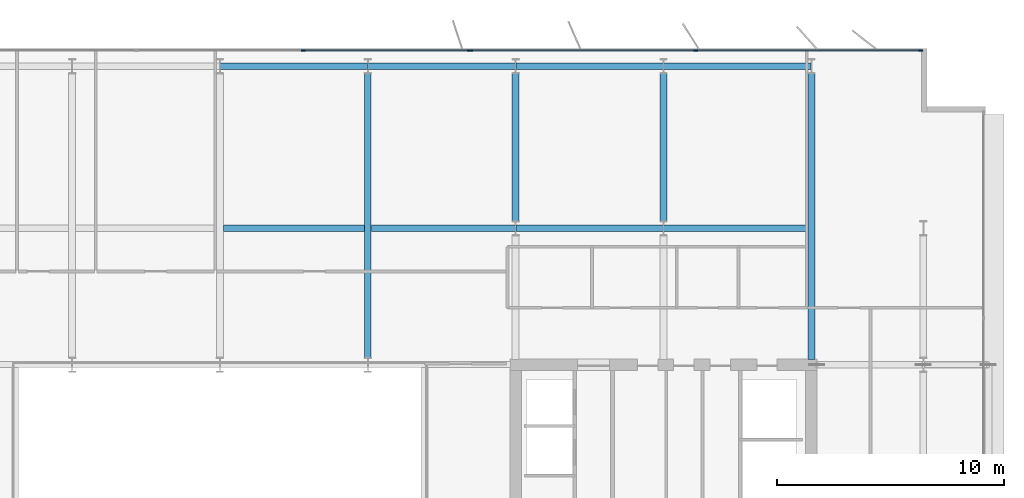
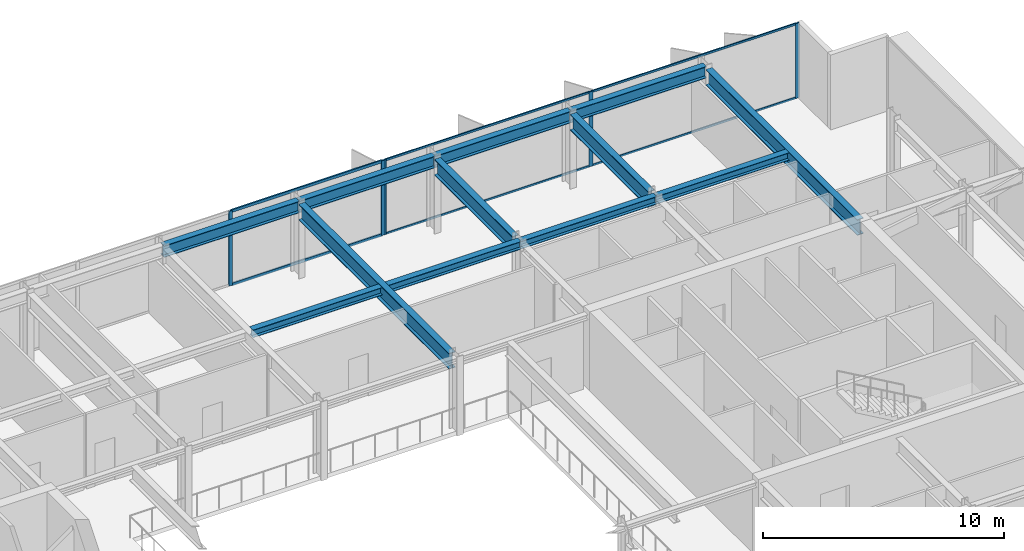
# One storey, part 9 of 20: 12 beams, 11 members, 2 elements without a shape of their own.
"""IFC4 building model written with IfcOpenShell, lengths in metres."""

import ifcopenshell
import ifcopenshell.guid

model = None  # the IFC model being written
_history = None  # IfcOwnerHistory: only IFC2X3 demands one
_inside = {}  # id of a spatial element -> (the spatial element, [elements in it])
_under = {}  # id of a project, library or spatial element -> (it, [spatial elements below it])
_declared = {}  # id of a project -> (the project, [libraries it declares])
_typed = {}  # id of a type object -> (the type object, [elements of that type])
_made_of = {}  # id of a material, layer set ... -> (it, [elements and type objects made of it])


def new_model(schema):
    """Start an empty IFC model of exactly this schema.

    Asked for "IFC4X3", IfcOpenShell would pick the latest addendum, in which some entities
    have other attributes; the version numbers below select the first issue.
    IFC2X3 requires an IfcOwnerHistory on every rooted entity: one is made here for all.
    """
    global model, _history
    if schema == "IFC4X3":
        model = ifcopenshell.file(schema_version=(4, 3, 0, 0))
    else:
        model = ifcopenshell.file(schema=schema)
    _inside.clear()
    _under.clear()
    _declared.clear()
    _typed.clear()
    _made_of.clear()
    _history = None
    if model.schema == "IFC2X3":
        org = make("IfcOrganization", Name="unknown")
        user = make(
            "IfcPersonAndOrganization",
            ThePerson=make("IfcPerson", FamilyName="unknown"),
            TheOrganization=org,
        )
        app = make(
            "IfcApplication",
            ApplicationDeveloper=org,
            Version="unknown",
            ApplicationFullName="unknown",
            ApplicationIdentifier="unknown",
        )
        _history = make(
            "IfcOwnerHistory",
            OwningUser=user,
            OwningApplication=app,
            ChangeAction="ADDED",
            CreationDate=0,
        )
    return model


def make(cls, **values):
    """One entity of the class cls with the attributes given. An attribute that is None is left unset."""
    return model.create_entity(
        cls, **{name: value for name, value in values.items() if value is not None}
    )


def rooted(cls, **values):
    """An entity with a GlobalId (a new one), such as an element, a storey or a relation."""
    return make(cls, GlobalId=ifcopenshell.guid.new(), OwnerHistory=_history, **values)


def si_unit(unit_type, name, prefix=None):
    """IfcSIUnit, for example si_unit("LENGTHUNIT", "METRE", prefix="MILLI")."""
    return make("IfcSIUnit", UnitType=unit_type, Prefix=prefix, Name=name)


def assignment(units):
    """IfcUnitAssignment: the units of a project."""
    return None if units is None else make("IfcUnitAssignment", Units=units)


def point(xyz):
    """IfcCartesianPoint."""
    return None if xyz is None else make("IfcCartesianPoint", Coordinates=xyz)


def direction(xyz):
    """IfcDirection."""
    return None if xyz is None else make("IfcDirection", DirectionRatios=xyz)


def frame(location, z_axis=None, x_axis=None):
    """IfcAxis2Placement3D, a coordinate frame: its origin and axes. An axis left out is left unset."""
    return make(
        "IfcAxis2Placement3D",
        Location=point(location),
        Axis=direction(z_axis),
        RefDirection=direction(x_axis),
    )


def frame_2d(location, x_axis=None):
    """IfcAxis2Placement2D, a coordinate frame in the plane: its origin and x axis."""
    return make(
        "IfcAxis2Placement2D", Location=point(location), RefDirection=direction(x_axis)
    )


def origin():
    """The frame at (0, 0, 0) with its axes left unset."""
    return frame((0.0, 0.0, 0.0))


def origin_2d():
    """The frame at (0, 0) in the plane with its x axis left unset."""
    return frame_2d((0.0, 0.0))


def place(relative_to, where):
    """IfcLocalPlacement: puts the frame where relative to a parent placement (None: the world)."""
    return make(
        "IfcLocalPlacement", PlacementRelTo=relative_to, RelativePlacement=where
    )


def context(
    kind, dimensions, precision=None, world=None, true_north=None, identifier=None
):
    """IfcGeometricRepresentationContext, for example the 3D "Model" context."""
    return make(
        "IfcGeometricRepresentationContext",
        ContextIdentifier=identifier,
        ContextType=kind,
        CoordinateSpaceDimension=dimensions,
        Precision=precision,
        WorldCoordinateSystem=world,
        TrueNorth=true_north,
    )


def subcontext(parent, identifier, kind, view, scale=None):
    """IfcGeometricRepresentationSubContext, for example "Body" below "Model"."""
    return make(
        "IfcGeometricRepresentationSubContext",
        ContextIdentifier=identifier,
        ContextType=kind,
        ParentContext=parent,
        TargetScale=scale,
        TargetView=view,
    )


def project(units=None, contexts=None):
    """IfcProject with its units and contexts."""
    return rooted(
        "IfcProject",
        Name="project",
        RepresentationContexts=contexts,
        UnitsInContext=assignment(units),
    )


def spatial(cls, under=None, at=None, **own):
    """A site, building, storey or space (cls), placed at a placement, below another one or the project."""
    s = rooted(cls, ObjectPlacement=at, **own)
    if under is not None:
        _under.setdefault(under.id(), (under, []))[1].append(s)
    return s


def profile(cls, at=None, kind="AREA", **sizes):
    """A parametric profile (cls). Its sizes go by their IFC names, for example OverallWidth=200.0."""
    return make(cls, ProfileType=kind, Position=at, **sizes)


def rectangle(**sizes):
    """IfcRectangleProfileDef."""
    return profile("IfcRectangleProfileDef", **sizes)


def i_section(**sizes):
    """IfcIShapeProfileDef."""
    return profile("IfcIShapeProfileDef", **sizes)


def extrude(swept, where, along, depth):
    """IfcExtrudedAreaSolid: the profile swept, set in the frame where, extruded along a direction by depth."""
    return make(
        "IfcExtrudedAreaSolid",
        SweptArea=swept,
        Position=where,
        ExtrudedDirection=direction(along),
        Depth=depth,
    )


def shape(context_of_items, identifier, shape_type, items):
    """IfcShapeRepresentation: the items that make up one representation, for example the "Body"."""
    return make(
        "IfcShapeRepresentation",
        ContextOfItems=context_of_items,
        RepresentationIdentifier=identifier,
        RepresentationType=shape_type,
        Items=items,
    )


def material(Name=None, Category=None):
    """IfcMaterial."""
    return make("IfcMaterial", Name=Name, Category=Category)


def layer(
    of_material, thickness, ventilated=None, Name=None, Category=None, Priority=None
):
    """IfcMaterialLayer: one layer of a wall or slab, of a material (None: an air gap)."""
    return make(
        "IfcMaterialLayer",
        Material=of_material,
        LayerThickness=thickness,
        IsVentilated=ventilated,
        Name=Name,
        Category=Category,
        Priority=Priority,
    )


def layer_set(layers, Name=None):
    """IfcMaterialLayerSet."""
    return make("IfcMaterialLayerSet", MaterialLayers=layers, LayerSetName=Name)


def material_profile(
    of_material, cross_section, Name=None, Category=None, Priority=None
):
    """IfcMaterialProfile: a cross section and its material."""
    return make(
        "IfcMaterialProfile",
        Name=Name,
        Material=of_material,
        Profile=cross_section,
        Priority=Priority,
        Category=Category,
    )


def profile_set(profiles, Name=None, composite=None):
    """IfcMaterialProfileSet."""
    return make(
        "IfcMaterialProfileSet",
        Name=Name,
        MaterialProfiles=profiles,
        CompositeProfile=composite,
    )


def made_of(thing, what):
    """Note that an element or type object is made of a material, layer set ...; save() writes the relation."""
    if what is not None:
        _made_of.setdefault(what.id(), (what, []))[1].append(thing)
    return thing


def type_object(cls, material=None, **own):
    """A type object (cls), such as IfcWallType, which elements share."""
    return made_of(rooted(cls, **own), material)


def element(
    cls,
    number,
    at=None,
    inside=None,
    cuts=None,
    type_object=None,
    material=None,
    context=None,
    identifier="Body",
    shape_type=None,
    held_by="IfcProductDefinitionShape",
    body=None,
    shapes=None,
    **own,
):
    """One element of the class cls, such as IfcWall. Its Tag is "e" and its number.

    at: its placement. inside: the storey or other place that contains it. cuts: it is an
    opening in that element (IfcRelVoidsElement). A single representation is given by context,
    identifier, shape_type and body (its items); several are given by shapes. held_by: the class
    of the entity that holds the representations. save() writes the other relations.
    """
    e = rooted(cls, Tag="e%d" % number, ObjectPlacement=at, **own)
    if body is not None:
        shapes = [shape(context, identifier, shape_type, body)]
    if shapes is not None:
        e.Representation = make(held_by, Representations=shapes)
    if inside is not None:
        _inside.setdefault(inside.id(), (inside, []))[1].append(e)
    if cuts is not None:
        rooted(
            "IfcRelVoidsElement", RelatingBuildingElement=cuts, RelatedOpeningElement=e
        )
    if type_object is not None:
        _typed.setdefault(type_object.id(), (type_object, []))[1].append(e)
    return made_of(e, material)


def aggregate(whole, parts):
    """IfcRelAggregates: a whole, such as a stair, and the parts it consists of."""
    return rooted("IfcRelAggregates", RelatingObject=whole, RelatedObjects=parts)


def save(model, path):
    """Write the relations noted so far, then the file.

    IfcRelAggregates (storeys below a building ...), IfcRelContainedInSpatialStructure (elements
    in a storey), IfcRelDefinesByType, IfcRelAssociatesMaterial and IfcRelDeclares: one each for
    every whole, place, type object, material and project.
    """
    for whole, parts in _under.values():
        aggregate(whole, parts)
    for where, things in _inside.values():
        rooted(
            "IfcRelContainedInSpatialStructure",
            RelatedElements=things,
            RelatingStructure=where,
        )
    for kind, things in _typed.values():
        rooted("IfcRelDefinesByType", RelatedObjects=things, RelatingType=kind)
    for what, things in _made_of.values():
        rooted("IfcRelAssociatesMaterial", RelatedObjects=things, RelatingMaterial=what)
    for by, libraries in _declared.values():
        rooted("IfcRelDeclares", RelatingContext=by, RelatedDefinitions=libraries)
    model.write(path)


model = new_model("IFC4")

# Units and contexts
model_context = context("Model", 3, precision=1e-05, world=origin(), true_north=direction((0.0, 1.0)))
body_context = subcontext(model_context, "Body", "Model", "MODEL_VIEW")
ifc_project = project(units=[si_unit("LENGTHUNIT", "METRE"), si_unit("AREAUNIT", "SQUARE_METRE"), si_unit("VOLUMEUNIT", "CUBIC_METRE"), si_unit("PLANEANGLEUNIT", "RADIAN"), si_unit("MASSUNIT", "GRAM", prefix="KILO")], contexts=[model_context])

# Site, building, storey
site_placement = place(None, origin())
site = spatial("IfcSite", under=ifc_project, at=site_placement, CompositionType="ELEMENT")
building_placement = place(site_placement, origin())
building = spatial("IfcBuilding", under=site, at=building_placement, Name="Putna Gate Headquarters", CompositionType="ELEMENT")
storey_placement = place(building_placement, frame((0.0, 0.0, 282.39990234375)))
storey = spatial("IfcBuildingStorey", under=building, at=storey_placement, Name="L71", CompositionType="ELEMENT", Elevation=282.39990234375)

# Beams
ifc_material_1 = material(Name="Steel S355J2", Category="steel")
ifc_material_profile_1 = material_profile(ifc_material_1, i_section(OverallWidth=0.300048828125, OverallDepth=0.800048828125, WebThickness=0.017578125, FlangeThickness=0.032958984375, at=origin_2d()), Name="Steel S355J2")
ifc_profile_set_1 = profile_set([ifc_material_profile_1], Name="Steel S355J2")
beam_type_1 = type_object("IfcBeamType", Name="BM-GIRD-P-HEB800", PredefinedType="USERDEFINED", material=ifc_profile_set_1)
beam_1_placement = place(storey_placement, frame((45.5, 33.322021484375, 3.38818359375), z_axis=(0.0, 1.0, 0.0), x_axis=(-1.0, 0.0, 0.0)))
element("IfcBeam", 1, at=beam_1_placement, inside=storey, type_object=beam_type_1, Name="L71 North Primary Girder X45", ObjectType="GIRDER", PredefinedType="USERDEFINED", context=body_context, shape_type="SweptSolid", body=[
    extrude(i_section(OverallWidth=0.300048828125, OverallDepth=0.800048828125, WebThickness=0.017578125, FlangeThickness=0.032958984375, at=origin_2d()), origin(), (0.0, 0.0, 1.0), 12.47607421875),
])
for number, where, z_axis, x_axis, name in (
    (2, (52.0, 39.322021484375, 3.38818359375), (0.0, 1.0, 0.0), (-1.0, 0.0, 0.0), "L71 North Primary Girder X52-2"),
    (3, (58.5, 39.322021484375, 3.38818359375), (0.0, 1.0, 0.0), (-1.0, 0.0, 0.0), "L71 North Primary Girder X58-2"),
):
    element("IfcBeam", number, at=place(storey_placement, frame(where, z_axis=z_axis, x_axis=x_axis)), inside=storey, type_object=beam_type_1, Name=name, ObjectType="GIRDER", PredefinedType="USERDEFINED", context=body_context, shape_type="SweptSolid", body=[
        extrude(i_section(OverallWidth=0.300048828125, OverallDepth=0.800048828125, WebThickness=0.017578125, FlangeThickness=0.032958984375, at=origin_2d()), origin(), (0.0, 0.0, 1.0), 6.47607421875),
    ])
beam_2_placement = place(storey_placement, frame((65.0, 33.235107421875, 3.38818359375), z_axis=(0.0, 1.0, 0.0), x_axis=(-1.0, 0.0, 0.0)))
element("IfcBeam", 4, at=beam_2_placement, inside=storey, type_object=beam_type_1, Name="L71 North Primary Girder X65", ObjectType="GIRDER", PredefinedType="USERDEFINED", context=body_context, shape_type="SweptSolid", body=[
    extrude(i_section(OverallWidth=0.300048828125, OverallDepth=0.800048828125, WebThickness=0.017578125, FlangeThickness=0.032958984375, at=origin_2d()), origin(), (0.0, 0.0, 1.0), 12.56298828125),
])
ifc_material_profile_2 = material_profile(ifc_material_1, i_section(OverallWidth=0.300048828125, OverallDepth=0.389892578125, WebThickness=0.010986328125, FlangeThickness=0.01904296875, at=origin_2d()), Name="Steel S355J2")
ifc_profile_set_2 = profile_set([ifc_material_profile_2], Name="Steel S355J2")
beam_type_2 = type_object("IfcBeamType", Name="BM-SEC-Z5-HEA400", PredefinedType="BEAM", material=ifc_profile_set_2)
beam_3_placement = place(storey_placement, frame((39.154052734375, 39.0, 3.593017578125), z_axis=(1.0, 0.0, 0.0), x_axis=(0.0, 1.0, 0.0)))
element("IfcBeam", 5, at=beam_3_placement, inside=storey, type_object=beam_type_2, Name="L71 North Secondary Beam 5", PredefinedType="BEAM", context=body_context, shape_type="SweptSolid", body=[
    extrude(i_section(OverallWidth=0.300048828125, OverallDepth=0.389892578125, WebThickness=0.010986328125, FlangeThickness=0.01904296875, at=origin_2d()), origin(), (0.0, 0.0, 1.0), 6.19189453125),
])
beam_4_placement = place(storey_placement, frame((45.654052734375, 39.0, 3.593017578125), z_axis=(1.0, 0.0, 0.0), x_axis=(0.0, 1.0, 0.0)))
element("IfcBeam", 6, at=beam_4_placement, inside=storey, type_object=beam_type_2, Name="L71 North Secondary Beam 6", PredefinedType="BEAM", context=body_context, shape_type="SweptSolid", body=[
    extrude(i_section(OverallWidth=0.300048828125, OverallDepth=0.389892578125, WebThickness=0.010986328125, FlangeThickness=0.01904296875, at=origin_2d()), origin(), (0.0, 0.0, 1.0), 6.33984375),
])
beam_5_placement = place(storey_placement, frame((52.006103515625, 39.0, 3.593017578125), z_axis=(1.0, 0.0, 0.0), x_axis=(0.0, 1.0, 0.0)))
element("IfcBeam", 7, at=beam_5_placement, inside=storey, type_object=beam_type_2, Name="L71 North Secondary Beam 7", PredefinedType="BEAM", context=body_context, shape_type="SweptSolid", body=[
    extrude(i_section(OverallWidth=0.300048828125, OverallDepth=0.389892578125, WebThickness=0.010986328125, FlangeThickness=0.01904296875, at=origin_2d()), origin(), (0.0, 0.0, 1.0), 6.48779296875),
])
beam_6_placement = place(storey_placement, frame((58.506103515625, 39.0, 3.593017578125), z_axis=(1.0, 0.0, 0.0), x_axis=(0.0, 1.0, 0.0)))
element("IfcBeam", 8, at=beam_6_placement, inside=storey, type_object=beam_type_2, Name="L71 North Secondary Beam 8", PredefinedType="BEAM", context=body_context, shape_type="SweptSolid", body=[
    extrude(i_section(OverallWidth=0.300048828125, OverallDepth=0.389892578125, WebThickness=0.010986328125, FlangeThickness=0.01904296875, at=origin_2d()), origin(), (0.0, 0.0, 1.0), 6.33984375),
])
ifc_material_profile_3 = material_profile(ifc_material_1, i_section(OverallWidth=0.300048828125, OverallDepth=0.590087890625, WebThickness=0.012939453125, FlangeThickness=0.02490234375, at=origin_2d()), Name="Steel S355J2")
ifc_profile_set_3 = profile_set([ifc_material_profile_3], Name="Steel S355J2")
beam_type_3 = type_object("IfcBeamType", Name="BM-SPAN-Z4-HEA600", PredefinedType="SPANDREL", material=ifc_profile_set_3)
for number, where, z_axis, x_axis, name in (
    (9, (39.006103515625, 46.1201171875, 3.4931640625), (1.0, 0.0, 0.0), (0.0, 1.0, 0.0), "L71 N Perimeter Spandrel 5"),
    (10, (45.506103515625, 46.1201171875, 3.4931640625), (1.0, 0.0, 0.0), (0.0, 1.0, 0.0), "L71 N Perimeter Spandrel 6"),
    (11, (52.006103515625, 46.1201171875, 3.4931640625), (1.0, 0.0, 0.0), (0.0, 1.0, 0.0), "L71 N Perimeter Spandrel 7"),
    (12, (58.506103515625, 46.1201171875, 3.4931640625), (1.0, 0.0, 0.0), (0.0, 1.0, 0.0), "L71 N Perimeter Spandrel 8"),
):
    element("IfcBeam", number, at=place(storey_placement, frame(where, z_axis=z_axis, x_axis=x_axis)), inside=storey, type_object=beam_type_3, Name=name, PredefinedType="SPANDREL", context=body_context, shape_type="SweptSolid", body=[
        extrude(i_section(OverallWidth=0.300048828125, OverallDepth=0.590087890625, WebThickness=0.012939453125, FlangeThickness=0.02490234375, at=origin_2d()), origin(), (0.0, 0.0, 1.0), 6.48779296875),
    ])

# Curtain wall, members
ifc_material_2 = material(Name="Anodised bronze aluminium curtain wall", Category="aluminium")
ifc_layer_1 = layer(ifc_material_2, 0.179931640625)
ifc_layer_set_1 = layer_set([ifc_layer_1], Name="Anodised bronze aluminium curtain wall")
curtain_wall_type_1 = type_object("IfcCurtainWallType", Name="CW-SYS-Z5", PredefinedType="USERDEFINED", material=ifc_layer_set_1)
curtain_wall_1_placement = place(storey_placement, origin())
curtain_wall_1 = element("IfcCurtainWall", 13, at=curtain_wall_1_placement, inside=storey, type_object=curtain_wall_type_1, Name="L71 North East Curtain Wall", ObjectType="STICK CURTAIN WALL", PredefinedType="USERDEFINED")
ifc_material_3 = material(Name="Anodised bronze aluminium EN AW-6060", Category="aluminium")
ifc_material_profile_4 = material_profile(ifc_material_3, rectangle(XDim=0.070068359375, YDim=0.179931640625, at=origin_2d()), Name="Anodised bronze aluminium EN AW-6060")
ifc_profile_set_4 = profile_set([ifc_material_profile_4], Name="Anodised bronze aluminium EN AW-6060")
member_type_1 = type_object("IfcMemberType", Name="MULL-CWM-5", PredefinedType="MULLION", material=ifc_profile_set_4)
member_1_placement = place(storey_placement, frame((50.034912109375, 46.820068359375, 0.0), z_axis=(0.0, 0.0, 1.0), x_axis=(0.0, 1.0, 0.0)))
member_1 = element("IfcMember", 14, at=member_1_placement, type_object=member_type_1, Name="CWS-5 mullion 1", PredefinedType="MULLION", context=body_context, shape_type="SweptSolid", body=[
    extrude(rectangle(XDim=0.070068359375, YDim=0.179931640625, at=origin_2d()), origin(), (0.0, 0.0, 1.0), 3.7880859375),
])
member_2_placement = place(storey_placement, frame((59.924560546875, 46.820068359375, 0.0), z_axis=(0.0, 0.0, 1.0), x_axis=(0.0, 1.0, 0.0)))
member_2 = element("IfcMember", 15, at=member_2_placement, type_object=member_type_1, Name="CWS-5 mullion 2", PredefinedType="MULLION", context=body_context, shape_type="SweptSolid", body=[
    extrude(rectangle(XDim=0.070068359375, YDim=0.179931640625, at=origin_2d()), origin(), (0.0, 0.0, 1.0), 3.7880859375),
])
member_3_placement = place(storey_placement, frame((69.81396484375, 46.820068359375, 0.0), z_axis=(0.0, 0.0, 1.0), x_axis=(0.0, 1.0, 0.0)))
member_3 = element("IfcMember", 16, at=member_3_placement, type_object=member_type_1, Name="CWS-5 mullion 3", PredefinedType="MULLION", context=body_context, shape_type="SweptSolid", body=[
    extrude(rectangle(XDim=0.070068359375, YDim=0.179931640625, at=origin_2d()), origin(), (0.0, 0.0, 1.0), 3.7880859375),
])

ifc_layer_2 = layer(ifc_material_2, 0.179931640625)
ifc_layer_set_2 = layer_set([ifc_layer_2], Name="Anodised bronze aluminium curtain wall")
curtain_wall_type_2 = type_object("IfcCurtainWallType", Name="CW-SYS-ATR", PredefinedType="USERDEFINED", material=ifc_layer_set_2)
curtain_wall_2_placement = place(storey_placement, origin())
curtain_wall_2 = element("IfcCurtainWall", 17, at=curtain_wall_2_placement, inside=storey, type_object=curtain_wall_type_2, Name="L71 North Atrium Clear Glazing", ObjectType="ATRIUM GLAZING", PredefinedType="USERDEFINED")
ifc_material_profile_5 = material_profile(ifc_material_3, rectangle(XDim=0.070068359375, YDim=0.179931640625, at=origin_2d()), Name="Anodised bronze aluminium EN AW-6060")
ifc_profile_set_5 = profile_set([ifc_material_profile_5], Name="Anodised bronze aluminium EN AW-6060")
member_type_2 = type_object("IfcMemberType", Name="MULL-CWM-AT", PredefinedType="MULLION", material=ifc_profile_set_5)
member_4_placement = place(storey_placement, frame((42.666748046875, 46.820068359375, 0.0), z_axis=(0.0, 0.0, 1.0), x_axis=(0.0, 1.0, 0.0)))
member_4 = element("IfcMember", 18, at=member_4_placement, type_object=member_type_2, Name="CWS-AT mullion 3", PredefinedType="MULLION", context=body_context, shape_type="SweptSolid", body=[
    extrude(rectangle(XDim=0.070068359375, YDim=0.179931640625, at=origin_2d()), origin(), (0.0, 0.0, 1.0), 3.7880859375),
])
member_5_placement = place(storey_placement, frame((49.965087890625, 46.820068359375, 0.0), z_axis=(0.0, 0.0, 1.0), x_axis=(0.0, 1.0, 0.0)))
member_5 = element("IfcMember", 19, at=member_5_placement, type_object=member_type_2, Name="CWS-AT mullion 4", PredefinedType="MULLION", context=body_context, shape_type="SweptSolid", body=[
    extrude(rectangle(XDim=0.070068359375, YDim=0.179931640625, at=origin_2d()), origin(), (0.0, 0.0, 1.0), 3.7880859375),
])

# Member
ifc_material_profile_6 = material_profile(ifc_material_3, rectangle(XDim=0.06005859375, YDim=0.10009765625, at=origin_2d()), Name="Anodised bronze aluminium EN AW-6060")
ifc_profile_set_6 = profile_set([ifc_material_profile_6], Name="Anodised bronze aluminium EN AW-6060")
member_type_3 = type_object("IfcMemberType", Name="TRAN-CWT-5", PredefinedType="USERDEFINED", material=ifc_profile_set_6)
member_6_placement = place(storey_placement, frame((50.070068359375, 46.820068359375, 0.030029296875), z_axis=(1.0, 0.0, 0.0), x_axis=(0.0, 1.0, 0.0)))
member_6 = element("IfcMember", 20, at=member_6_placement, type_object=member_type_3, Name="CWS-5 transom 1.1", ObjectType="TRANSOM", PredefinedType="USERDEFINED", context=body_context, shape_type="SweptSolid", body=[
    extrude(rectangle(XDim=0.06005859375, YDim=0.10009765625, at=origin_2d()), origin(), (0.0, 0.0, 1.0), 9.8193359375),
])

member_7_placement = place(storey_placement, frame((50.070068359375, 46.820068359375, 3.758056640625), z_axis=(1.0, 0.0, 0.0), x_axis=(0.0, 1.0, 0.0)))
member_7 = element("IfcMember", 21, at=member_7_placement, type_object=member_type_3, Name="CWS-5 transom 1.2", ObjectType="TRANSOM", PredefinedType="USERDEFINED", context=body_context, shape_type="SweptSolid", body=[
    extrude(rectangle(XDim=0.06005859375, YDim=0.10009765625, at=origin_2d()), origin(), (0.0, 0.0, 1.0), 9.8193359375),
])

member_8_placement = place(storey_placement, frame((59.95947265625, 46.820068359375, 0.030029296875), z_axis=(1.0, 0.0, 0.0), x_axis=(0.0, 1.0, 0.0)))
member_8 = element("IfcMember", 22, at=member_8_placement, type_object=member_type_3, Name="CWS-5 transom 2.1", ObjectType="TRANSOM", PredefinedType="USERDEFINED", context=body_context, shape_type="SweptSolid", body=[
    extrude(rectangle(XDim=0.06005859375, YDim=0.10009765625, at=origin_2d()), origin(), (0.0, 0.0, 1.0), 9.8193359375),
])

member_9_placement = place(storey_placement, frame((59.95947265625, 46.820068359375, 3.758056640625), z_axis=(1.0, 0.0, 0.0), x_axis=(0.0, 1.0, 0.0)))
member_9 = element("IfcMember", 23, at=member_9_placement, type_object=member_type_3, Name="CWS-5 transom 2.2", ObjectType="TRANSOM", PredefinedType="USERDEFINED", context=body_context, shape_type="SweptSolid", body=[
    extrude(rectangle(XDim=0.06005859375, YDim=0.10009765625, at=origin_2d()), origin(), (0.0, 0.0, 1.0), 9.8193359375),
])

aggregate(curtain_wall_1, [member_1, member_2, member_3, member_6, member_7, member_8, member_9])

ifc_material_profile_7 = material_profile(ifc_material_3, rectangle(XDim=0.070068359375, YDim=0.139892578125, at=origin_2d()), Name="Anodised bronze aluminium EN AW-6060")
ifc_profile_set_7 = profile_set([ifc_material_profile_7], Name="Anodised bronze aluminium EN AW-6060")
member_type_4 = type_object("IfcMemberType", Name="TRAN-CWT-AT", PredefinedType="USERDEFINED", material=ifc_profile_set_7)
member_10_placement = place(storey_placement, frame((42.70166015625, 46.820068359375, 0.03515625), z_axis=(1.0, 0.0, 0.0), x_axis=(0.0, 1.0, 0.0)))
member_10 = element("IfcMember", 24, at=member_10_placement, type_object=member_type_4, Name="CWS-AT transom 3.1", ObjectType="TRANSOM", PredefinedType="USERDEFINED", context=body_context, shape_type="SweptSolid", body=[
    extrude(rectangle(XDim=0.070068359375, YDim=0.139892578125, at=origin_2d()), origin(), (0.0, 0.0, 1.0), 7.228271484375),
])

member_11_placement = place(storey_placement, frame((42.70166015625, 46.820068359375, 3.753173828125), z_axis=(1.0, 0.0, 0.0), x_axis=(0.0, 1.0, 0.0)))
member_11 = element("IfcMember", 25, at=member_11_placement, type_object=member_type_4, Name="CWS-AT transom 3.2", ObjectType="TRANSOM", PredefinedType="USERDEFINED", context=body_context, shape_type="SweptSolid", body=[
    extrude(rectangle(XDim=0.070068359375, YDim=0.139892578125, at=origin_2d()), origin(), (0.0, 0.0, 1.0), 7.228271484375),
])

aggregate(curtain_wall_2, [member_4, member_5, member_10, member_11])

save(model, "model.ifc")
